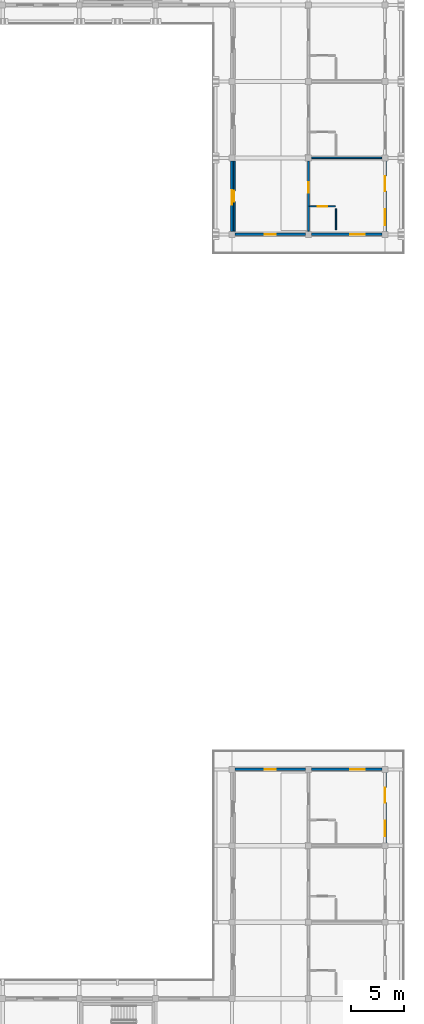
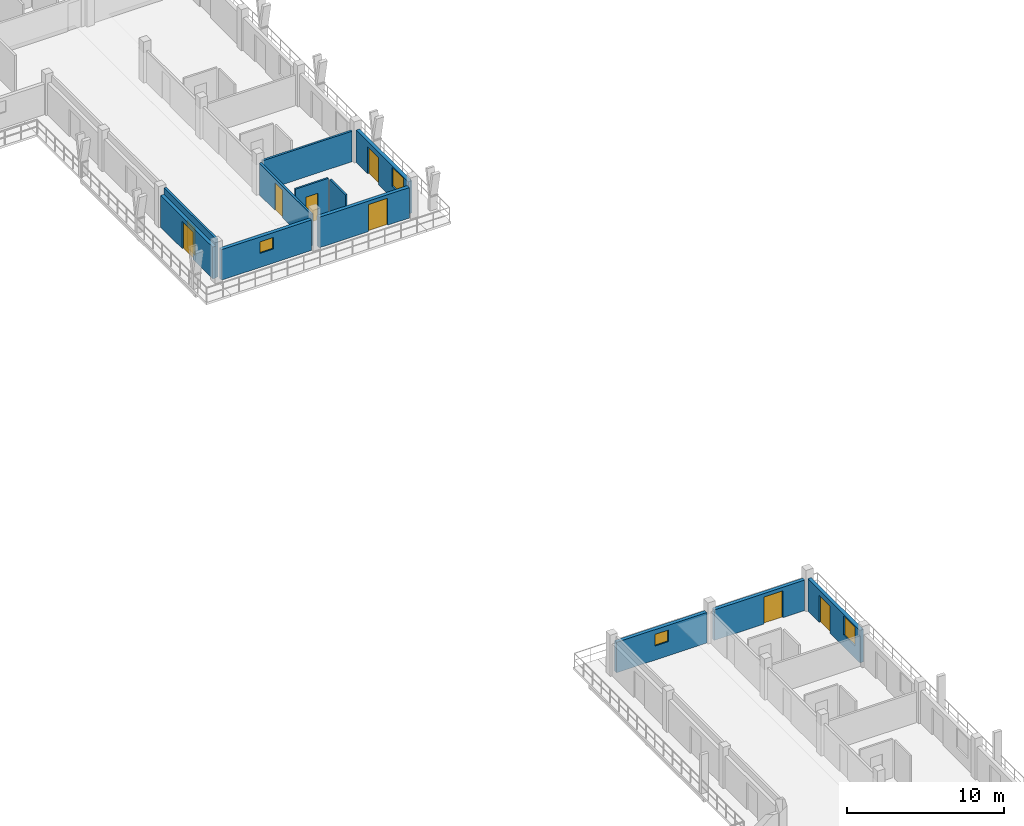
# One storey, part 48 of 67: 12 walls, 8 doors, 4 windows, 12 openings.
"""IFC4 building model written with IfcOpenShell, lengths in metres."""

from ifc_helpers import new_model, si_unit, direction, frame, frame_2d, origin, place, context, subcontext, project, spatial, rectangle, extrude, material, layer, layer_set, type_object, element, fill, save


model = new_model("IFC4")

# Units and contexts
model_context = context("Model", 3, precision=1e-05, world=origin(), true_north=direction((0.0, 1.0)))
body_context = subcontext(model_context, "Body", "Model", "MODEL_VIEW")
ifc_project = project(units=[si_unit("LENGTHUNIT", "METRE"), si_unit("AREAUNIT", "SQUARE_METRE"), si_unit("VOLUMEUNIT", "CUBIC_METRE"), si_unit("PLANEANGLEUNIT", "RADIAN"), si_unit("MASSUNIT", "GRAM", prefix="KILO")], contexts=[model_context])

# Site, building, storey
site_placement = place(None, origin())
site = spatial("IfcSite", under=ifc_project, at=site_placement, CompositionType="ELEMENT")
building_placement = place(site_placement, origin())
building = spatial("IfcBuilding", under=site, at=building_placement, Name="Suanplinth Sawtooth Commons", CompositionType="ELEMENT")
storey_placement = place(building_placement, frame((0.0, 0.0, 25.10009765625)))
storey = spatial("IfcBuildingStorey", under=building, at=storey_placement, Name="L07", CompositionType="ELEMENT", Elevation=25.10009765625)

# Wall, opening, window
ifc_material_1 = material(Name="Precast concrete C40/50", Category="concrete")
ifc_layer_1 = layer(ifc_material_1, 0.260009765625, Name="Insulated precast courtyard facade wall 260mm")
ifc_layer_set_1 = layer_set([ifc_layer_1], Name="Precast concrete C40/50")
wall_type_1 = type_object("IfcWallType", Name="W-EX02", PredefinedType="ELEMENTEDWALL", material=ifc_layer_set_1)
wall_1_placement = place(storey_placement, frame((173.074951171875, 86.39990234375, 0.0), z_axis=(0.0, 0.0, 1.0), x_axis=(1.0, 0.0, 0.0)))
wall_1 = element("IfcWall", 1, at=wall_1_placement, inside=storey, type_object=wall_type_1, Name="Facade Wall W-L07-B-S-24-12", PredefinedType="ELEMENTEDWALL", context=body_context, shape_type="SweptSolid", body=[
    extrude(rectangle(XDim=6.650146484375, YDim=0.260009765625, at=frame_2d((3.3251953125, 0.0))), origin(), (0.0, 0.0, 1.0), 2.375),
])
opening_1_placement = place(wall_1_placement, frame((2.824951171875, 0.0, 1.10009765625)))
opening_1 = element("IfcOpeningElement", 2, at=opening_1_placement, cuts=wall_1, Name="Opening W0664", PredefinedType="OPENING", context=body_context, shape_type="SweptSolid", body=[
    extrude(rectangle(XDim=1.0, YDim=0.89990234375, at=frame_2d((0.5, 0.449951171875))), frame((0.0, 0.14501953125, 0.0), z_axis=(0.0, -1.0, 0.0), x_axis=(1.0, 0.0, 0.0)), (0.0, 0.0, 1.0), 0.289794921875),
])
ifc_material_2 = material(Name="Thermally broken aluminium and low-E double glazing", Category="aluminium")
window_type_1 = type_object("IfcWindowType", Name="WN-12", PartitioningType="SINGLE_PANEL", PredefinedType="WINDOW", material=ifc_material_2)
window_1_placement = place(opening_1_placement, origin())
window_1 = element("IfcWindow", 3, at=window_1_placement, inside=storey, type_object=window_type_1, Name="End Window L07-B-S-24-12", OverallHeight=0.89990234375, OverallWidth=1.0, PartitioningType="SINGLE_PANEL", PredefinedType="WINDOW", context=body_context, shape_type="SweptSolid", body=[
    extrude(rectangle(XDim=1.0, YDim=0.89990234375, at=frame_2d((0.5, 0.449951171875))), frame((0.0, 0.030029296875, 0.0), z_axis=(0.0, -1.0, 0.0), x_axis=(1.0, 0.0, 0.0)), (0.0, 0.0, 1.0), 0.06005859375),
])
fill(opening_1, window_1)

# Wall, opening, door
wall_2_placement = place(storey_placement, frame((172.800048828125, 86.675048828125, 0.0), z_axis=(0.0, 0.0, 1.0), x_axis=(0.0, 1.0, 0.0)))
wall_2 = element("IfcWall", 4, at=wall_2_placement, inside=storey, type_object=wall_type_1, Name="Facade Wall W-L07-B-W-24-12", PredefinedType="ELEMENTEDWALL", context=body_context, shape_type="SweptSolid", body=[
    extrude(rectangle(XDim=6.64990234375, YDim=0.260009765625, at=frame_2d((3.324951171875, 0.0))), origin(), (0.0, 0.0, 1.0), 2.474853515625),
])
opening_2_placement = place(wall_2_placement, frame((2.5, 0.0, 0.0)))
opening_2 = element("IfcOpeningElement", 5, at=opening_2_placement, cuts=wall_2, Name="Opening ED0580", PredefinedType="OPENING", context=body_context, shape_type="SweptSolid", body=[
    extrude(rectangle(XDim=1.39990234375, YDim=2.10009765625, at=frame_2d((0.699951171875, 1.050048828125))), frame((0.0, 0.14501953125, 0.0), z_axis=(0.0, -1.0, 0.0), x_axis=(1.0, 0.0, 0.0)), (0.0, 0.0, 1.0), 0.289794921875),
])
ifc_material_3 = material(Name="Anodized aluminium and low-E glass", Category="aluminium")
door_type_1 = type_object("IfcDoorType", Name="SD-07", OperationType="SLIDING_TO_RIGHT", PredefinedType="DOOR", material=ifc_material_3)
door_1_placement = place(opening_2_placement, frame((1.39990234375, 0.0, 0.0), z_axis=(0.0, 0.0, 1.0), x_axis=(-1.0, 0.0, 0.0)))
door_1 = element("IfcDoor", 6, at=door_1_placement, inside=storey, type_object=door_type_1, Name="Courtyard Veranda Studio Balcony Door L07-B-12", OperationType="SLIDING_TO_RIGHT", OverallHeight=2.10009765625, OverallWidth=1.39990234375, PredefinedType="DOOR", context=body_context, shape_type="SweptSolid", body=[
    extrude(rectangle(XDim=1.39990234375, YDim=2.10009765625, at=frame_2d((0.699951171875, 1.050048828125))), frame((0.0, 0.02490234375, 0.0), z_axis=(0.0, -1.0, 0.0), x_axis=(1.0, 0.0, 0.0)), (0.0, 0.0, 1.0), 0.050048828125),
])
fill(opening_2, door_1)

wall_3_placement = place(storey_placement, frame((180.27490234375, 86.39990234375, 0.0), z_axis=(0.0, 0.0, 1.0), x_axis=(1.0, 0.0, 0.0)))
wall_3 = element("IfcWall", 7, at=wall_3_placement, inside=storey, type_object=wall_type_1, Name="Facade Wall W-L07-B-S-25-12", PredefinedType="ELEMENTEDWALL", context=body_context, shape_type="SweptSolid", body=[
    extrude(rectangle(XDim=6.650146484375, YDim=0.260009765625, at=frame_2d((3.3251953125, 0.0))), origin(), (0.0, 0.0, 1.0), 2.375),
])
opening_3_placement = place(wall_3_placement, frame((3.64990234375, 0.0, 0.0)))
opening_3 = element("IfcOpeningElement", 8, at=opening_3_placement, cuts=wall_3, Name="Opening ED0584", PredefinedType="OPENING", context=body_context, shape_type="SweptSolid", body=[
    extrude(rectangle(XDim=1.39990234375, YDim=2.10009765625, at=frame_2d((0.699951171875, 1.050048828125))), frame((0.0, 0.14501953125, 0.0), z_axis=(0.0, -1.0, 0.0), x_axis=(1.0, 0.0, 0.0)), (0.0, 0.0, 1.0), 0.289794921875),
])
door_2_placement = place(opening_3_placement, frame((1.39990234375, 0.0, 0.0), z_axis=(0.0, 0.0, 1.0), x_axis=(-1.0, 0.0, 0.0)))
door_2 = element("IfcDoor", 9, at=door_2_placement, inside=storey, type_object=door_type_1, Name="End Balcony Sliding Door L07-B-S-25-12", OperationType="SLIDING_TO_RIGHT", OverallHeight=2.10009765625, OverallWidth=1.39990234375, PredefinedType="DOOR", context=body_context, shape_type="SweptSolid", body=[
    extrude(rectangle(XDim=1.39990234375, YDim=2.10009765625, at=frame_2d((0.699951171875, 1.050048828125))), frame((0.0, 0.02490234375, 0.0), z_axis=(0.0, -1.0, 0.0), x_axis=(1.0, 0.0, 0.0)), (0.0, 0.0, 1.0), 0.050048828125),
])
fill(opening_3, door_2)

# Wall, openings, door, window
wall_4_placement = place(storey_placement, frame((187.199951171875, 86.675048828125, 0.0), z_axis=(0.0, 0.0, 1.0), x_axis=(0.0, 1.0, 0.0)))
wall_4 = element("IfcWall", 10, at=wall_4_placement, inside=storey, type_object=wall_type_1, Name="Facade Wall W-L07-B-E-25-12", PredefinedType="ELEMENTEDWALL", context=body_context, shape_type="SweptSolid", body=[
    extrude(rectangle(XDim=6.64990234375, YDim=0.260009765625, at=frame_2d((3.324951171875, 0.0))), origin(), (0.0, 0.0, 1.0), 2.52490234375),
])
opening_4_placement = place(wall_4_placement, frame((3.800048828125, 0.0, 0.0)))
opening_4 = element("IfcOpeningElement", 11, at=opening_4_placement, cuts=wall_4, Name="Opening ED0585", PredefinedType="OPENING", context=body_context, shape_type="SweptSolid", body=[
    extrude(rectangle(XDim=1.39990234375, YDim=2.10009765625, at=frame_2d((0.699951171875, 1.050048828125))), frame((0.0, 0.14501953125, 0.0), z_axis=(0.0, -1.0, 0.0), x_axis=(1.0, 0.0, 0.0)), (0.0, 0.0, 1.0), 0.289794921875),
])
opening_5_placement = place(wall_4_placement, frame((0.60009765625, 0.0, 0.9150390625)))
opening_5 = element("IfcOpeningElement", 12, at=opening_5_placement, cuts=wall_4, Name="Opening W0666", PredefinedType="OPENING", context=body_context, shape_type="SweptSolid", body=[
    extrude(rectangle(XDim=1.5, YDim=1.5, at=frame_2d((0.75, 0.75))), frame((0.0, 0.14501953125, 0.0), z_axis=(0.0, -1.0, 0.0), x_axis=(1.0, 0.0, 0.0)), (0.0, 0.0, 1.0), 0.289794921875),
])
door_3_placement = place(opening_4_placement, frame((1.39990234375, 0.0, 0.0), z_axis=(0.0, 0.0, 1.0), x_axis=(-1.0, 0.0, 0.0)))
door_3 = element("IfcDoor", 13, at=door_3_placement, inside=storey, type_object=door_type_1, Name="Wing Balcony Sliding Door L07-B-12", OperationType="SLIDING_TO_RIGHT", OverallHeight=2.10009765625, OverallWidth=1.39990234375, PredefinedType="DOOR", context=body_context, shape_type="SweptSolid", body=[
    extrude(rectangle(XDim=1.39990234375, YDim=2.10009765625, at=frame_2d((0.699951171875, 1.050048828125))), frame((0.0, 0.02490234375, 0.0), z_axis=(0.0, -1.0, 0.0), x_axis=(1.0, 0.0, 0.0)), (0.0, 0.0, 1.0), 0.050048828125),
])
fill(opening_4, door_3)
window_type_2 = type_object("IfcWindowType", Name="WN-02", PartitioningType="DOUBLE_PANEL_VERTICAL", PredefinedType="WINDOW", material=ifc_material_2)
window_2_placement = place(opening_5_placement, origin())
window_2 = element("IfcWindow", 14, at=window_2_placement, inside=storey, type_object=window_type_2, Name="Wing Window L07-B-12", OverallHeight=1.5, OverallWidth=1.5, PartitioningType="DOUBLE_PANEL_VERTICAL", PredefinedType="WINDOW", context=body_context, shape_type="SweptSolid", body=[
    extrude(rectangle(XDim=1.5, YDim=1.5, at=frame_2d((0.75, 0.75))), frame((0.0, 0.030029296875, 0.0), z_axis=(0.0, -1.0, 0.0), x_axis=(1.0, 0.0, 0.0)), (0.0, 0.0, 1.0), 0.06005859375),
])
fill(opening_5, window_2)

# Wall, opening, window
wall_5_placement = place(storey_placement, frame((173.074951171875, 36.0, 0.0), z_axis=(0.0, 0.0, 1.0), x_axis=(1.0, 0.0, 0.0)))
wall_5 = element("IfcWall", 15, at=wall_5_placement, inside=storey, type_object=wall_type_1, Name="Facade Wall W-L07-C-N-24-4", PredefinedType="ELEMENTEDWALL", context=body_context, shape_type="SweptSolid", body=[
    extrude(rectangle(XDim=6.650146484375, YDim=0.260009765625, at=frame_2d((3.3251953125, 0.0))), origin(), (0.0, 0.0, 1.0), 2.375),
])
opening_6_placement = place(wall_5_placement, frame((2.824951171875, 0.0, 1.10009765625)))
opening_6 = element("IfcOpeningElement", 16, at=opening_6_placement, cuts=wall_5, Name="Opening W0684", PredefinedType="OPENING", context=body_context, shape_type="SweptSolid", body=[
    extrude(rectangle(XDim=1.0, YDim=0.89990234375, at=frame_2d((0.5, 0.449951171875))), frame((0.0, 0.14501953125, 0.0), z_axis=(0.0, -1.0, 0.0), x_axis=(1.0, 0.0, 0.0)), (0.0, 0.0, 1.0), 0.289794921875),
])
window_3_placement = place(opening_6_placement, origin())
window_3 = element("IfcWindow", 17, at=window_3_placement, inside=storey, type_object=window_type_1, Name="End Window L07-C-N-24-4", OverallHeight=0.89990234375, OverallWidth=1.0, PartitioningType="SINGLE_PANEL", PredefinedType="WINDOW", context=body_context, shape_type="SweptSolid", body=[
    extrude(rectangle(XDim=1.0, YDim=0.89990234375, at=frame_2d((0.5, 0.449951171875))), frame((0.0, 0.030029296875, 0.0), z_axis=(0.0, -1.0, 0.0), x_axis=(1.0, 0.0, 0.0)), (0.0, 0.0, 1.0), 0.06005859375),
])
fill(opening_6, window_3)

# Wall, opening, door
wall_6_placement = place(storey_placement, frame((180.27490234375, 36.0, 0.0), z_axis=(0.0, 0.0, 1.0), x_axis=(1.0, 0.0, 0.0)))
wall_6 = element("IfcWall", 18, at=wall_6_placement, inside=storey, type_object=wall_type_1, Name="Facade Wall W-L07-C-N-25-4", PredefinedType="ELEMENTEDWALL", context=body_context, shape_type="SweptSolid", body=[
    extrude(rectangle(XDim=6.650146484375, YDim=0.260009765625, at=frame_2d((3.3251953125, 0.0))), origin(), (0.0, 0.0, 1.0), 2.375),
])
opening_7_placement = place(wall_6_placement, frame((3.64990234375, 0.0, 0.0)))
opening_7 = element("IfcOpeningElement", 19, at=opening_7_placement, cuts=wall_6, Name="Opening ED0607", PredefinedType="OPENING", context=body_context, shape_type="SweptSolid", body=[
    extrude(rectangle(XDim=1.39990234375, YDim=2.10009765625, at=frame_2d((0.699951171875, 1.050048828125))), frame((0.0, 0.14501953125, 0.0), z_axis=(0.0, -1.0, 0.0), x_axis=(1.0, 0.0, 0.0)), (0.0, 0.0, 1.0), 0.289794921875),
])
door_4_placement = place(opening_7_placement, frame((1.39990234375, 0.0, 0.0), z_axis=(0.0, 0.0, 1.0), x_axis=(-1.0, 0.0, 0.0)))
door_4 = element("IfcDoor", 20, at=door_4_placement, inside=storey, type_object=door_type_1, Name="End Balcony Sliding Door L07-C-N-25-4", OperationType="SLIDING_TO_RIGHT", OverallHeight=2.10009765625, OverallWidth=1.39990234375, PredefinedType="DOOR", context=body_context, shape_type="SweptSolid", body=[
    extrude(rectangle(XDim=1.39990234375, YDim=2.10009765625, at=frame_2d((0.699951171875, 1.050048828125))), frame((0.0, 0.02490234375, 0.0), z_axis=(0.0, -1.0, 0.0), x_axis=(1.0, 0.0, 0.0)), (0.0, 0.0, 1.0), 0.050048828125),
])
fill(opening_7, door_4)

# Wall, openings, door, window
wall_7_placement = place(storey_placement, frame((187.199951171875, 29.074951171875, 0.0), z_axis=(0.0, 0.0, 1.0), x_axis=(0.0, 1.0, 0.0)))
wall_7 = element("IfcWall", 21, at=wall_7_placement, inside=storey, type_object=wall_type_1, Name="Facade Wall W-L07-C-E-25-4", PredefinedType="ELEMENTEDWALL", context=body_context, shape_type="SweptSolid", body=[
    extrude(rectangle(XDim=6.650146484375, YDim=0.260009765625, at=frame_2d((3.3251953125, 0.0))), origin(), (0.0, 0.0, 1.0), 2.52490234375),
])
opening_8_placement = place(wall_7_placement, frame((3.800048828125, 0.0, 0.0)))
opening_8 = element("IfcOpeningElement", 22, at=opening_8_placement, cuts=wall_7, Name="Opening ED0608", PredefinedType="OPENING", context=body_context, shape_type="SweptSolid", body=[
    extrude(rectangle(XDim=1.39990234375, YDim=2.10009765625, at=frame_2d((0.699951171875, 1.050048828125))), frame((0.0, 0.14501953125, 0.0), z_axis=(0.0, -1.0, 0.0), x_axis=(1.0, 0.0, 0.0)), (0.0, 0.0, 1.0), 0.289794921875),
])
opening_9_placement = place(wall_7_placement, frame((0.60009765625, 0.0, 0.9150390625)))
opening_9 = element("IfcOpeningElement", 23, at=opening_9_placement, cuts=wall_7, Name="Opening W0689", PredefinedType="OPENING", context=body_context, shape_type="SweptSolid", body=[
    extrude(rectangle(XDim=1.5, YDim=1.5, at=frame_2d((0.75, 0.75))), frame((0.0, 0.14501953125, 0.0), z_axis=(0.0, -1.0, 0.0), x_axis=(1.0, 0.0, 0.0)), (0.0, 0.0, 1.0), 0.289794921875),
])
door_5_placement = place(opening_8_placement, frame((1.39990234375, 0.0, 0.0), z_axis=(0.0, 0.0, 1.0), x_axis=(-1.0, 0.0, 0.0)))
door_5 = element("IfcDoor", 24, at=door_5_placement, inside=storey, type_object=door_type_1, Name="Wing Balcony Sliding Door L07-C-4", OperationType="SLIDING_TO_RIGHT", OverallHeight=2.10009765625, OverallWidth=1.39990234375, PredefinedType="DOOR", context=body_context, shape_type="SweptSolid", body=[
    extrude(rectangle(XDim=1.39990234375, YDim=2.10009765625, at=frame_2d((0.699951171875, 1.050048828125))), frame((0.0, 0.02490234375, 0.0), z_axis=(0.0, -1.0, 0.0), x_axis=(1.0, 0.0, 0.0)), (0.0, 0.0, 1.0), 0.050048828125),
])
fill(opening_8, door_5)
window_4_placement = place(opening_9_placement, origin())
window_4 = element("IfcWindow", 25, at=window_4_placement, inside=storey, type_object=window_type_2, Name="Wing Window L07-C-4", OverallHeight=1.5, OverallWidth=1.5, PartitioningType="DOUBLE_PANEL_VERTICAL", PredefinedType="WINDOW", context=body_context, shape_type="SweptSolid", body=[
    extrude(rectangle(XDim=1.5, YDim=1.5, at=frame_2d((0.75, 0.75))), frame((0.0, 0.030029296875, 0.0), z_axis=(0.0, -1.0, 0.0), x_axis=(1.0, 0.0, 0.0)), (0.0, 0.0, 1.0), 0.06005859375),
])
fill(opening_9, window_4)

# Wall, opening, door
ifc_layer_2 = layer(ifc_material_1, 0.159912109375, Name="Fire-rated corridor and lobby wall 160mm")
ifc_layer_set_2 = layer_set([ifc_layer_2], Name="Precast concrete C40/50")
wall_type_2 = type_object("IfcWallType", Name="W-FW01", PredefinedType="PARTITIONING", material=ifc_layer_set_2)
wall_8_placement = place(storey_placement, frame((180.0, 86.705078125, 0.0), z_axis=(0.0, 0.0, 1.0), x_axis=(0.0, 1.0, 0.0)))
wall_8 = element("IfcWall", 26, at=wall_8_placement, inside=storey, type_object=wall_type_2, Name="W-B-L07-L01-COR", PredefinedType="PARTITIONING", context=body_context, shape_type="SweptSolid", body=[
    extrude(rectangle(XDim=6.58984375, YDim=0.159912109375, at=frame_2d((3.294921875, 0.0))), origin(), (0.0, 0.0, 1.0), 2.474853515625),
])
opening_10_placement = place(wall_8_placement, frame((3.594970703125, 0.0, 0.0)))
opening_10 = element("IfcOpeningElement", 27, at=opening_10_placement, cuts=wall_8, Name="Opening FD1564", PredefinedType="OPENING", context=body_context, shape_type="SweptSolid", body=[
    extrude(rectangle(XDim=1.0, YDim=2.14990234375, at=frame_2d((0.5, 1.074951171875))), frame((0.0, 0.0947265625, 0.0), z_axis=(0.0, -1.0, 0.0), x_axis=(1.0, 0.0, 0.0)), (0.0, 0.0, 1.0), 0.189697265625),
])
ifc_material_4 = material(Name="Teak hardwood fire-rated door assembly", Category="wood")
door_type_2 = type_object("IfcDoorType", Name="FD-03", OperationType="NOTDEFINED", PredefinedType="DOOR", material=ifc_material_4)
door_6_placement = place(opening_10_placement, frame((1.0, 0.0, 0.0), z_axis=(0.0, 0.0, 1.0), x_axis=(-1.0, 0.0, 0.0)))
door_6 = element("IfcDoor", 28, at=door_6_placement, inside=storey, type_object=door_type_2, Name="Wing Unit Entrance Door FD1564", OperationType="SINGLE_SWING_RIGHT", OverallHeight=2.14990234375, OverallWidth=1.0, PredefinedType="DOOR", context=body_context, shape_type="SweptSolid", body=[
    extrude(rectangle(XDim=1.0, YDim=2.14990234375, at=frame_2d((0.5, 1.074951171875))), frame((0.0, 0.02490234375, 0.0), z_axis=(0.0, -1.0, 0.0), x_axis=(1.0, 0.0, 0.0)), (0.0, 0.0, 1.0), 0.050048828125),
])
fill(opening_10, door_6)

wall_9_placement = place(storey_placement, frame((173.0, 86.705078125, 0.0), z_axis=(0.0, 0.0, 1.0), x_axis=(0.0, 1.0, 0.0)))
wall_9 = element("IfcWall", 29, at=wall_9_placement, inside=storey, type_object=wall_type_2, Name="W-B-L07-LEGCOURTROOM-28-COR", PredefinedType="PARTITIONING", context=body_context, shape_type="SweptSolid", body=[
    extrude(rectangle(XDim=6.58984375, YDim=0.159912109375, at=frame_2d((3.294921875, 0.0))), origin(), (0.0, 0.0, 1.0), 2.989990234375),
])
opening_11_placement = place(wall_9_placement, frame((2.784912109375, 0.0, 0.0)))
opening_11 = element("IfcOpeningElement", 30, at=opening_11_placement, cuts=wall_9, Name="Opening D1566", PredefinedType="OPENING", context=body_context, shape_type="SweptSolid", body=[
    extrude(rectangle(XDim=1.02001953125, YDim=2.179931640625, at=frame_2d((0.510009765625, 1.08984375))), frame((0.0, 0.0947265625, 0.0), z_axis=(0.0, -1.0, 0.0), x_axis=(1.0, 0.0, 0.0)), (0.0, 0.0, 1.0), 0.189697265625),
])
ifc_material_5 = material(Name="Teak hardwood", Category="wood")
door_type_3 = type_object("IfcDoorType", Name="D-16", OperationType="NOTDEFINED", PredefinedType="DOOR", material=ifc_material_5)
door_7_placement = place(opening_11_placement, origin())
door_7 = element("IfcDoor", 31, at=door_7_placement, inside=storey, type_object=door_type_3, Name="Veranda Studio Door D1566", OperationType="SINGLE_SWING_RIGHT", OverallHeight=2.179931640625, OverallWidth=1.02001953125, PredefinedType="DOOR", context=body_context, shape_type="SweptSolid", body=[
    extrude(rectangle(XDim=1.02001953125, YDim=2.179931640625, at=frame_2d((0.510009765625, 1.08984375))), frame((0.0, 0.02490234375, 0.0), z_axis=(0.0, -1.0, 0.0), x_axis=(1.0, 0.0, 0.0)), (0.0, 0.0, 1.0), 0.050048828125),
])
fill(opening_11, door_7)

# Wall
ifc_layer_3 = layer(ifc_material_1, 0.14990234375, Name="Acoustic precast party demising wall 150mm")
ifc_layer_set_3 = layer_set([ifc_layer_3], Name="Precast concrete C40/50")
wall_type_3 = type_object("IfcWallType", Name="W-FW02", PredefinedType="PARTITIONING", material=ifc_layer_set_3)
wall_10_placement = place(storey_placement, frame((180.304931640625, 93.60009765625, 0.0), z_axis=(0.0, 0.0, 1.0), x_axis=(1.0, 0.0, 0.0)))
element("IfcWall", 32, at=wall_10_placement, inside=storey, type_object=wall_type_3, Name="W-B-L07-L01-PTY", PredefinedType="PARTITIONING", context=body_context, shape_type="SweptSolid", body=[
    extrude(rectangle(XDim=6.590087890625, YDim=0.14990234375, at=frame_2d((3.294921875, 0.0))), origin(), (0.0, 0.0, 1.0), 2.375),
])

# Wall, opening, door
ifc_material_6 = material(Name="Gypsum plasterboard on steel stud", Category="steel")
ifc_layer_4 = layer(ifc_material_6, 0.1298828125, Name="Moisture-resistant bathroom partition 130mm")
ifc_layer_set_4 = layer_set([ifc_layer_4], Name="Gypsum plasterboard on steel stud")
wall_type_4 = type_object("IfcWallType", Name="W-PT02", PredefinedType="PARTITIONING", material=ifc_layer_set_4)
wall_11_placement = place(storey_placement, frame((180.080078125, 89.044921875, 0.0), z_axis=(0.0, 0.0, 1.0), x_axis=(1.0, 0.0, 0.0)))
wall_11 = element("IfcWall", 33, at=wall_11_placement, inside=storey, type_object=wall_type_4, Name="W-B-L07-L01-BTH1", PredefinedType="PARTITIONING", context=body_context, shape_type="SweptSolid", body=[
    extrude(rectangle(XDim=2.449951171875, YDim=0.1298828125, at=frame_2d((1.22509765625, 0.0))), origin(), (0.0, 0.0, 1.0), 2.989990234375),
])
opening_12_placement = place(wall_11_placement, frame((0.77490234375, 0.0, 0.0)))
opening_12 = element("IfcOpeningElement", 34, at=opening_12_placement, cuts=wall_11, Name="Opening D1565", PredefinedType="OPENING", context=body_context, shape_type="SweptSolid", body=[
    extrude(rectangle(XDim=0.89990234375, YDim=2.10009765625, at=frame_2d((0.449951171875, 1.050048828125))), frame((0.0, 0.079833984375, 0.0), z_axis=(0.0, -1.0, 0.0), x_axis=(1.0, 0.0, 0.0)), (0.0, 0.0, 1.0), 0.15966796875),
])
door_type_4 = type_object("IfcDoorType", Name="D-01", OperationType="NOTDEFINED", PredefinedType="DOOR", material=ifc_material_5)
door_8_placement = place(opening_12_placement, frame((0.89990234375, 0.0, 0.0), z_axis=(0.0, 0.0, 1.0), x_axis=(-1.0, 0.0, 0.0)))
door_8 = element("IfcDoor", 35, at=door_8_placement, inside=storey, type_object=door_type_4, Name="Bathroom Door D1565", OperationType="SINGLE_SWING_LEFT", OverallHeight=2.10009765625, OverallWidth=0.89990234375, PredefinedType="DOOR", context=body_context, shape_type="SweptSolid", body=[
    extrude(rectangle(XDim=0.89990234375, YDim=2.10009765625, at=frame_2d((0.449951171875, 1.050048828125))), frame((0.0, 0.02490234375, 0.0), z_axis=(0.0, -1.0, 0.0), x_axis=(1.0, 0.0, 0.0)), (0.0, 0.0, 1.0), 0.050048828125),
])
fill(opening_12, door_8)

# Wall
wall_12_placement = place(storey_placement, frame((182.594970703125, 86.830078125, 0.0), z_axis=(0.0, 0.0, 1.0), x_axis=(0.0, 1.0, 0.0)))
element("IfcWall", 36, at=wall_12_placement, inside=storey, type_object=wall_type_4, Name="W-B-L07-L01-BTH2", PredefinedType="PARTITIONING", context=body_context, shape_type="SweptSolid", body=[
    extrude(rectangle(XDim=2.0, YDim=0.1298828125, at=frame_2d((1.0, 0.0))), origin(), (0.0, 0.0, 1.0), 2.989990234375),
])

save(model, "model.ifc")
